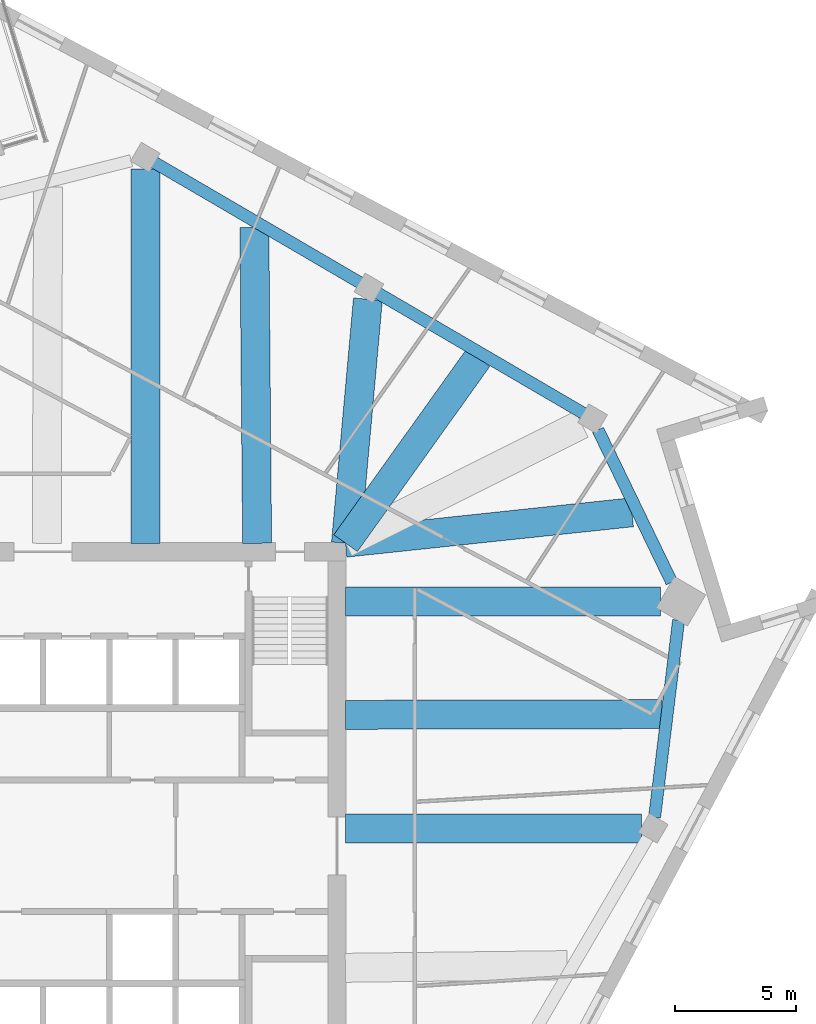
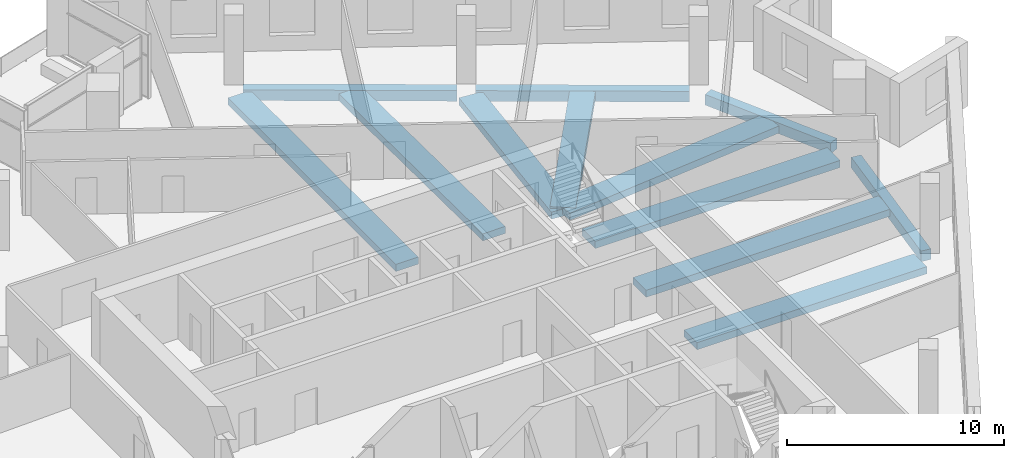
# One storey, part 3 of 13: 12 beams.
"""IFC4 building model written with IfcOpenShell, lengths in metres."""

from ifc_helpers import new_model, si_unit, direction, frame, origin, origin_2d, place, context, subcontext, project, spatial, rectangle, extrude, material, material_profile, profile_set, type_object, element, save


model = new_model("IFC4")

# Units and contexts
model_context = context("Model", 3, precision=1e-05, world=origin(), true_north=direction((0.0, 1.0)))
body_context = subcontext(model_context, "Body", "Model", "MODEL_VIEW")
ifc_project = project(units=[si_unit("LENGTHUNIT", "METRE"), si_unit("AREAUNIT", "SQUARE_METRE"), si_unit("VOLUMEUNIT", "CUBIC_METRE"), si_unit("PLANEANGLEUNIT", "RADIAN"), si_unit("MASSUNIT", "GRAM", prefix="KILO")], contexts=[model_context])

# Site, building, storey
site_placement = place(None, origin())
site = spatial("IfcSite", under=ifc_project, at=site_placement, CompositionType="ELEMENT")
building_placement = place(site_placement, origin())
building = spatial("IfcBuilding", under=site, at=building_placement, Name="Dilmun Exchange Tower", CompositionType="ELEMENT")
storey_placement = place(building_placement, frame((0.0, 0.0, 274.89990234375)))
storey = spatial("IfcBuildingStorey", under=building, at=storey_placement, Name="L65", CompositionType="ELEMENT", Elevation=274.89990234375)

# Beams
ifc_material = material(Name="Concrete C40/50", Category="concrete")
ifc_material_profile_1 = material_profile(ifc_material, rectangle(XDim=1.199951171875, YDim=0.39990234375, at=origin_2d()), Name="1200 x 400")
ifc_profile_set_1 = profile_set([ifc_material_profile_1], Name="Concrete C40/50")
beam_type_1 = type_object("IfcBeamType", Name="RC band beam 1200 x 400 C40/50", PredefinedType="BEAM", material=ifc_profile_set_1)
beam_1_placement = place(storey_placement, frame((24.773681640625, 0.721923828125, -0.659912109375), z_axis=(-1.0, 0.0, 0.0), x_axis=(0.0, -1.0, 0.0)))
element("IfcBeam", 1, at=beam_1_placement, inside=storey, type_object=beam_type_1, Name="Band beam 12", PredefinedType="BEAM", context=body_context, shape_type="SweptSolid", body=[
    extrude(rectangle(XDim=1.199951171875, YDim=0.39990234375, at=origin_2d()), origin(), (0.0, 0.0, 1.0), 12.250732421875),
])
beam_2_placement = place(storey_placement, frame((25.5732421875, 10.1220703125, -0.659912109375), z_axis=(-1.0, 0.0, 0.0), x_axis=(0.0, -1.0, 0.0)))
element("IfcBeam", 2, at=beam_2_placement, inside=storey, type_object=beam_type_1, Name="Band beam 13", PredefinedType="BEAM", context=body_context, shape_type="SweptSolid", body=[
    extrude(rectangle(XDim=1.199951171875, YDim=0.39990234375, at=origin_2d()), origin(), (0.0, 0.0, 1.0), 13.05029296875),
])
beam_3_placement = place(storey_placement, frame((13.456787109375, 22.625732421875, -0.659912109375), z_axis=(-0.089632924375, -0.995974868593, 0.0), x_axis=(0.995974868593, -0.089632924375, 0.0)))
element("IfcBeam", 3, at=beam_3_placement, inside=storey, type_object=beam_type_1, Name="Band beam 15", PredefinedType="BEAM", context=body_context, shape_type="SweptSolid", body=[
    extrude(rectangle(XDim=1.199951171875, YDim=0.39990234375, at=origin_2d()), origin(), (0.0, 0.0, 1.0), 10.143310546875),
])
beam_4_placement = place(storey_placement, frame((4.239990234375, 28.01171875, -0.659912109375), z_axis=(0.0, -1.0, 0.0), x_axis=(1.0, 0.0, 0.0)))
element("IfcBeam", 4, at=beam_4_placement, inside=storey, type_object=beam_type_1, Name="Band beam 16", PredefinedType="BEAM", context=body_context, shape_type="SweptSolid", body=[
    extrude(rectangle(XDim=1.199951171875, YDim=0.39990234375, at=origin_2d()), origin(), (0.0, 0.0, 1.0), 15.48876953125),
])
beam_5_placement = place(storey_placement, frame((25.6201171875, 5.448974609375, -0.559814453125), z_axis=(-0.999997897774, -0.002050474756, 0.0), x_axis=(0.002050474756, -0.999997897774, 0.0)))
element("IfcBeam", 5, at=beam_5_placement, inside=storey, type_object=beam_type_1, Name="Band beam 28", PredefinedType="BEAM", context=body_context, shape_type="SweptSolid", body=[
    extrude(rectangle(XDim=1.199951171875, YDim=0.39990234375, at=origin_2d()), origin(), (0.0, 0.0, 1.0), 13.09716796875),
])
beam_6_placement = place(storey_placement, frame((24.3857421875, 13.804931640625, -0.559814453125), z_axis=(-0.994425543871, -0.105441157505, 0.0), x_axis=(0.105441157505, -0.994425543871, 0.0)))
element("IfcBeam", 6, at=beam_6_placement, inside=storey, type_object=beam_type_1, Name="Band beam 29", PredefinedType="BEAM", context=body_context, shape_type="SweptSolid", body=[
    extrude(rectangle(XDim=1.199951171875, YDim=0.39990234375, at=origin_2d()), origin(), (0.0, 0.0, 1.0), 11.928955078125),
])
beam_7_placement = place(storey_placement, frame((18.01611328125, 20.195556640625, -0.559814453125), z_axis=(-0.581600762294, -0.81347437163, 0.0), x_axis=(0.81347437163, -0.581600762294, 0.0)))
element("IfcBeam", 7, at=beam_7_placement, inside=storey, type_object=beam_type_1, Name="Band beam 30", PredefinedType="BEAM", context=body_context, shape_type="SweptSolid", body=[
    extrude(rectangle(XDim=1.199951171875, YDim=0.39990234375, at=origin_2d()), origin(), (0.0, 0.0, 1.0), 9.425537109375),
])
beam_8_placement = place(storey_placement, frame((8.757080078125, 25.607421875, -0.559814453125), z_axis=(0.008582734208, -0.999963167658, 0.0), x_axis=(0.999963167658, 0.008582734208, 0.0)))
element("IfcBeam", 8, at=beam_8_placement, inside=storey, type_object=beam_type_1, Name="Band beam 31", PredefinedType="BEAM", context=body_context, shape_type="SweptSolid", body=[
    extrude(rectangle(XDim=1.199951171875, YDim=0.39990234375, at=origin_2d()), origin(), (0.0, 0.0, 1.0), 13.0849609375),
])
ifc_material_profile_2 = material_profile(ifc_material, rectangle(XDim=0.5, YDim=0.60009765625, at=origin_2d()), Name="500 x 600")
ifc_profile_set_2 = profile_set([ifc_material_profile_2], Name="Concrete C40/50")
beam_type_2 = type_object("IfcBeamType", Name="RC ring beam 500 x 600 C40/50", PredefinedType="SPANDREL", material=ifc_profile_set_2)
beam_9_placement = place(storey_placement, frame((25.32421875, 1.181640625, -0.659912109375), z_axis=(0.121108645076, 0.992639257781, 0.0), x_axis=(-0.992639257781, 0.121108645076, 0.0)))
element("IfcBeam", 9, at=beam_9_placement, inside=storey, type_object=beam_type_2, Name="Ring beam 12", PredefinedType="SPANDREL", context=body_context, shape_type="SweptSolid", body=[
    extrude(rectangle(XDim=0.5, YDim=0.60009765625, at=origin_2d()), origin(), (0.0, 0.0, 1.0), 8.216796875),
])
beam_10_placement = place(storey_placement, frame((26.033447265625, 10.910888671875, -0.659912109375), z_axis=(-0.435439794363, 0.900217854458, 0.0), x_axis=(-0.900217854458, -0.435439794363, 0.0)))
element("IfcBeam", 10, at=beam_10_placement, inside=storey, type_object=beam_type_2, Name="Ring beam 13", PredefinedType="SPANDREL", context=body_context, shape_type="SweptSolid", body=[
    extrude(rectangle(XDim=0.5, YDim=0.60009765625, at=origin_2d()), origin(), (0.0, 0.0, 1.0), 7.0068359375),
])
beam_11_placement = place(storey_placement, frame((22.392822265625, 17.8955078125, -0.659912109375), z_axis=(-0.863333071594, 0.504634528637, 0.0), x_axis=(-0.504634528637, -0.863333071594, 0.0)))
element("IfcBeam", 11, at=beam_11_placement, inside=storey, type_object=beam_type_2, Name="Ring beam 14", PredefinedType="SPANDREL", context=body_context, shape_type="SweptSolid", body=[
    extrude(rectangle(XDim=0.5, YDim=0.60009765625, at=origin_2d()), origin(), (0.0, 0.0, 1.0), 9.878662109375),
])
beam_12_placement = place(storey_placement, frame((13.1337890625, 23.3076171875, -0.659912109375), z_axis=(-0.863343838609, 0.504616107884, 0.0), x_axis=(-0.504616107884, -0.863343838609, 0.0)))
element("IfcBeam", 12, at=beam_12_placement, inside=storey, type_object=beam_type_2, Name="Ring beam 15", PredefinedType="SPANDREL", context=body_context, shape_type="SweptSolid", body=[
    extrude(rectangle(XDim=0.5, YDim=0.60009765625, at=origin_2d()), origin(), (0.0, 0.0, 1.0), 9.87841796875),
])

save(model, "model.ifc")
